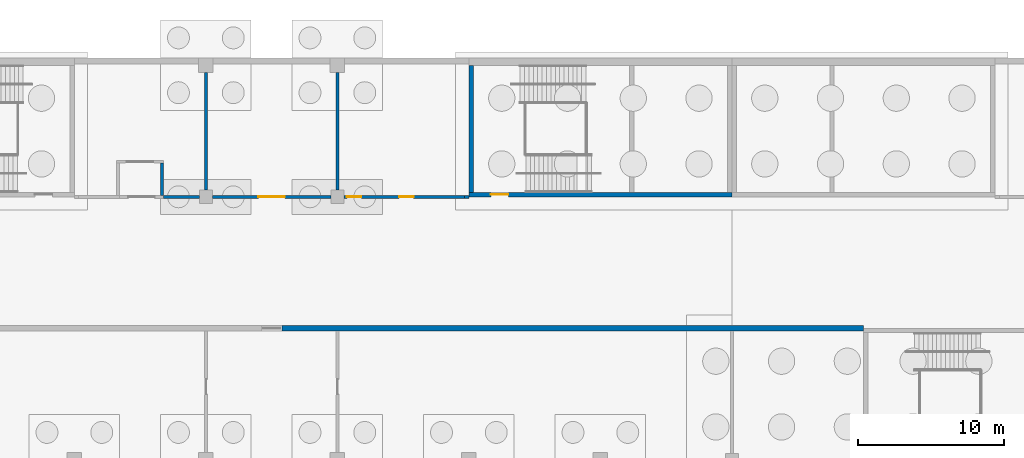
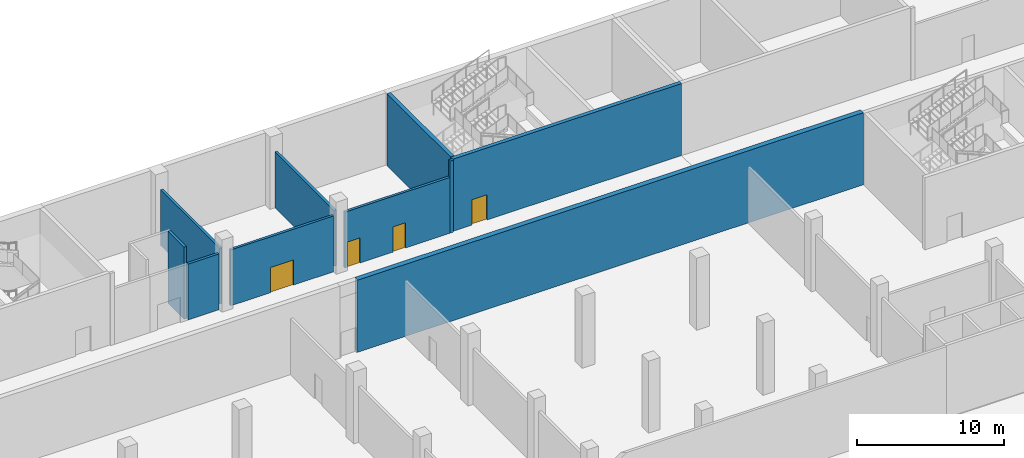
# One storey, part 16 of 42: 10 walls, 4 doors, 4 openings.
"""IFC4 building model written with IfcOpenShell, lengths in metres."""

from ifc_helpers import new_model, si_unit, direction, frame, frame_2d, origin, place, context, subcontext, project, spatial, rectangle, extrude, material, layer, layer_set, type_object, element, fill, save


model = new_model("IFC4")

# Units and contexts
model_context = context("Model", 3, precision=1e-05, world=origin(), true_north=direction((0.0, 1.0)))
body_context = subcontext(model_context, "Body", "Model", "MODEL_VIEW")
ifc_project = project(units=[si_unit("LENGTHUNIT", "METRE"), si_unit("AREAUNIT", "SQUARE_METRE"), si_unit("VOLUMEUNIT", "CUBIC_METRE"), si_unit("PLANEANGLEUNIT", "RADIAN"), si_unit("MASSUNIT", "GRAM", prefix="KILO")], contexts=[model_context])

# Site, building, storey
site_placement = place(None, origin())
site = spatial("IfcSite", under=ifc_project, at=site_placement, CompositionType="ELEMENT")
building_placement = place(site_placement, origin())
building = spatial("IfcBuilding", under=site, at=building_placement, Name="Silverbay Arena", CompositionType="ELEMENT")
storey_placement = place(building_placement, frame((0.0, 0.0, -6.0)))
storey = spatial("IfcBuildingStorey", under=building, at=storey_placement, Name="B1", CompositionType="ELEMENT", Elevation=-6.0)

# Wall, opening, door
ifc_material_1 = material(Name="Concrete Grade C45", Category="concrete")
ifc_layer_1 = layer(ifc_material_1, 0.300048828125)
ifc_layer_set_1 = layer_set([ifc_layer_1], Name="Concrete Grade C45")
wall_type_1 = type_object("IfcWallType", Name="Core wall RC 300 EI 240", PredefinedType="SHEAR", material=ifc_layer_set_1)
wall_1_placement = place(storey_placement, frame((144.0, 135.14990234375, 0.0), z_axis=(0.0, 0.0, 1.0), x_axis=(1.0, 0.0, 0.0)))
wall_1 = element("IfcWall", 1, at=wall_1_placement, inside=storey, type_object=wall_type_1, Name="Core wall ST-N3 B1 door side", PredefinedType="SHEAR", context=body_context, shape_type="SweptSolid", body=[
    extrude(rectangle(XDim=18.0, YDim=0.300048828125, at=frame_2d((9.0, 0.0))), origin(), (0.0, 0.0, 1.0), 6.0),
])
opening_1_placement = place(wall_1_placement, frame((1.5, 0.0, 0.0)))
opening_1 = element("IfcOpeningElement", 2, at=opening_1_placement, cuts=wall_1, Name="Opening B1-081", PredefinedType="OPENING", context=body_context, shape_type="SweptSolid", body=[
    extrude(rectangle(XDim=1.199951171875, YDim=2.10009765625, at=frame_2d((0.60009765625, 1.050048828125))), frame((0.0, 0.16015625, 0.0), z_axis=(0.0, -1.0, 0.0), x_axis=(1.0, 0.0, 0.0)), (0.0, 0.0, 1.0), 0.320068359375),
])
ifc_material_2 = material(Name="Steel fire door", Category="steel")
door_type_1 = type_object("IfcDoorType", Name="Stair door 1200 x 2100 fire door", OperationType="SINGLE_SWING_LEFT", PredefinedType="DOOR", material=ifc_material_2)
door_1_placement = place(opening_1_placement, origin())
door_1 = element("IfcDoor", 3, at=door_1_placement, inside=storey, type_object=door_type_1, Name="Stair door ST-N3 B1", OperationType="SINGLE_SWING_LEFT", OverallHeight=2.10009765625, OverallWidth=1.199951171875, PredefinedType="DOOR", context=body_context, shape_type="SweptSolid", body=[
    extrude(rectangle(XDim=1.199951171875, YDim=2.10009765625, at=frame_2d((0.60009765625, 1.050048828125))), frame((0.0, 0.02490234375, 0.0), z_axis=(0.0, -1.0, 0.0), x_axis=(1.0, 0.0, 0.0)), (0.0, 0.0, 1.0), 0.050048828125),
])
fill(opening_1, door_1)

# Walls
wall_2_placement = place(storey_placement, frame((144.14990234375, 135.300048828125, 0.0), z_axis=(0.0, 0.0, 1.0), x_axis=(0.0, 1.0, 0.0)))
element("IfcWall", 4, at=wall_2_placement, inside=storey, type_object=wall_type_1, Name="Core wall ST-N3 B1 end 1", PredefinedType="SHEAR", context=body_context, shape_type="SweptSolid", body=[
    extrude(rectangle(XDim=8.699951171875, YDim=0.300048828125, at=frame_2d((4.35009765625, 0.0))), origin(), (0.0, 0.0, 1.0), 6.0),
])
ifc_material_3 = material(Name="Masonry blockwork partition", Category="masonry")
ifc_layer_2 = layer(ifc_material_3, 0.199951171875)
ifc_layer_set_2 = layer_set([ifc_layer_2], Name="Masonry blockwork partition")
wall_type_2 = type_object("IfcWallType", Name="Partition 200 EI 240", PredefinedType="PARTITIONING", material=ifc_layer_set_2)
wall_3_placement = place(storey_placement, frame((123.10009765625, 135.0, 0.0), z_axis=(0.0, 0.0, 1.0), x_axis=(1.0, 0.0, 0.0)))
element("IfcWall", 5, at=wall_3_placement, inside=storey, type_object=wall_type_2, Name="Partition wall", PredefinedType="PARTITIONING", context=body_context, shape_type="SweptSolid", body=[
    extrude(rectangle(XDim=2.449951171875, YDim=0.199951171875, at=frame_2d((1.22509765625, 0.0))), origin(), (0.0, 0.0, 1.0), 4.64990234375),
])

# Wall, opening, door
wall_4_placement = place(storey_placement, frame((126.449951171875, 135.0, 0.0), z_axis=(0.0, 0.0, 1.0), x_axis=(1.0, 0.0, 0.0)))
wall_4 = element("IfcWall", 6, at=wall_4_placement, inside=storey, type_object=wall_type_2, Name="Partition wall", PredefinedType="PARTITIONING", context=body_context, shape_type="SweptSolid", body=[
    extrude(rectangle(XDim=8.10009765625, YDim=0.199951171875, at=frame_2d((4.050048828125, 0.0))), origin(), (0.0, 0.0, 1.0), 4.64990234375),
])
opening_2_placement = place(wall_4_placement, frame((3.14990234375, 0.0, 0.0)))
opening_2 = element("IfcOpeningElement", 7, at=opening_2_placement, cuts=wall_4, Name="Opening B1-008", PredefinedType="OPENING", context=body_context, shape_type="SweptSolid", body=[
    extrude(rectangle(XDim=1.800048828125, YDim=2.10009765625, at=frame_2d((0.89990234375, 1.050048828125))), frame((0.0, 0.10986328125, 0.0), z_axis=(0.0, -1.0, 0.0), x_axis=(1.0, 0.0, 0.0)), (0.0, 0.0, 1.0), 0.219970703125),
])
ifc_material_4 = material(Name="Steel faced timber", Category="steel")
door_type_2 = type_object("IfcDoorType", Name="Double leaf door 1800 x 2100 FD120", OperationType="DOUBLE_DOOR_DOUBLE_SWING", PredefinedType="DOOR", material=ifc_material_4)
door_2_placement = place(opening_2_placement, origin())
door_2 = element("IfcDoor", 8, at=door_2_placement, inside=storey, type_object=door_type_2, Name="Door B1-008", OperationType="DOUBLE_DOOR_DOUBLE_SWING", OverallHeight=2.10009765625, OverallWidth=1.800048828125, PredefinedType="DOOR", context=body_context, shape_type="SweptSolid", body=[
    extrude(rectangle(XDim=1.800048828125, YDim=2.10009765625, at=frame_2d((0.89990234375, 1.050048828125))), frame((0.0, 0.02490234375, 0.0), z_axis=(0.0, -1.0, 0.0), x_axis=(1.0, 0.0, 0.0)), (0.0, 0.0, 1.0), 0.050048828125),
])
fill(opening_2, door_2)

# Wall, openings, doors
wall_5_placement = place(storey_placement, frame((135.449951171875, 135.0, 0.0), z_axis=(0.0, 0.0, 1.0), x_axis=(1.0, 0.0, 0.0)))
wall_5 = element("IfcWall", 9, at=wall_5_placement, inside=storey, type_object=wall_type_2, Name="Partition wall", PredefinedType="PARTITIONING", context=body_context, shape_type="SweptSolid", body=[
    extrude(rectangle(XDim=8.25, YDim=0.199951171875, at=frame_2d((4.125, 0.0))), origin(), (0.0, 0.0, 1.0), 4.64990234375),
])
opening_3_placement = place(wall_5_placement, frame((3.77490234375, 0.0, 0.0)))
opening_3 = element("IfcOpeningElement", 10, at=opening_3_placement, cuts=wall_5, Name="Opening B1-009", PredefinedType="OPENING", context=body_context, shape_type="SweptSolid", body=[
    extrude(rectangle(XDim=1.0, YDim=2.10009765625, at=frame_2d((0.5, 1.050048828125))), frame((0.0, 0.10986328125, 0.0), z_axis=(0.0, -1.0, 0.0), x_axis=(1.0, 0.0, 0.0)), (0.0, 0.0, 1.0), 0.219970703125),
])
opening_4_placement = place(wall_5_placement, frame((0.199951171875, 0.0, 0.0)))
opening_4 = element("IfcOpeningElement", 11, at=opening_4_placement, cuts=wall_5, Name="Opening B1-062", PredefinedType="OPENING", context=body_context, shape_type="SweptSolid", body=[
    extrude(rectangle(XDim=1.0, YDim=2.10009765625, at=frame_2d((0.5, 1.050048828125))), frame((0.0, 0.10986328125, 0.0), z_axis=(0.0, -1.0, 0.0), x_axis=(1.0, 0.0, 0.0)), (0.0, 0.0, 1.0), 0.219970703125),
])
ifc_material_5 = material(Name="Steel faced timber", Category="steel")
door_type_3 = type_object("IfcDoorType", Name="Single leaf door 1000 x 2100 FD30S", OperationType="SINGLE_SWING_LEFT", PredefinedType="DOOR", material=ifc_material_5)
door_3_placement = place(opening_3_placement, origin())
door_3 = element("IfcDoor", 12, at=door_3_placement, inside=storey, type_object=door_type_3, Name="Door B1-009", OperationType="SINGLE_SWING_LEFT", OverallHeight=2.10009765625, OverallWidth=1.0, PredefinedType="DOOR", context=body_context, shape_type="SweptSolid", body=[
    extrude(rectangle(XDim=1.0, YDim=2.10009765625, at=frame_2d((0.5, 1.050048828125))), frame((0.0, 0.02490234375, 0.0), z_axis=(0.0, -1.0, 0.0), x_axis=(1.0, 0.0, 0.0)), (0.0, 0.0, 1.0), 0.050048828125),
])
fill(opening_3, door_3)
door_4_placement = place(opening_4_placement, origin())
door_4 = element("IfcDoor", 13, at=door_4_placement, inside=storey, type_object=door_type_3, Name="Door B1-062", OperationType="SINGLE_SWING_LEFT", OverallHeight=2.10009765625, OverallWidth=1.0, PredefinedType="DOOR", context=body_context, shape_type="SweptSolid", body=[
    extrude(rectangle(XDim=1.0, YDim=2.10009765625, at=frame_2d((0.5, 1.050048828125))), frame((0.0, 0.02490234375, 0.0), z_axis=(0.0, -1.0, 0.0), x_axis=(1.0, 0.0, 0.0)), (0.0, 0.0, 1.0), 0.050048828125),
])
fill(opening_4, door_4)

# Walls
wall_6_placement = place(storey_placement, frame((123.0, 135.10009765625, 0.0), z_axis=(0.0, 0.0, 1.0), x_axis=(0.0, 1.0, 0.0)))
element("IfcWall", 14, at=wall_6_placement, inside=storey, type_object=wall_type_2, Name="Partition wall", PredefinedType="PARTITIONING", context=body_context, shape_type="SweptSolid", body=[
    extrude(rectangle(XDim=2.199951171875, YDim=0.199951171875, at=frame_2d((1.10009765625, 0.0))), origin(), (0.0, 0.0, 1.0), 6.0),
])
for number, where, z_axis, x_axis, name in (
    (15, (126.0, 135.449951171875, 0.0), (0.0, 0.0, 1.0), (0.0, 1.0, 0.0), "Partition wall"),
    (16, (135.0, 135.449951171875, 0.0), (0.0, 0.0, 1.0), (0.0, 1.0, 0.0), "Partition wall"),
):
    element("IfcWall", number, at=place(storey_placement, frame(where, z_axis=z_axis, x_axis=x_axis)), inside=storey, type_object=wall_type_2, Name=name, PredefinedType="PARTITIONING", context=body_context, shape_type="SweptSolid", body=[
        extrude(rectangle(XDim=8.050048828125, YDim=0.199951171875, at=frame_2d((4.02490234375, 0.0))), origin(), (0.0, 0.0, 1.0), 4.64990234375),
    ])
wall_7_placement = place(storey_placement, frame((143.699951171875, 135.0, 0.0), z_axis=(0.0, 0.0, 1.0), x_axis=(1.0, 0.0, 0.0)))
element("IfcWall", 17, at=wall_7_placement, inside=storey, type_object=wall_type_2, Name="Partition wall", PredefinedType="PARTITIONING", context=body_context, shape_type="SweptSolid", body=[
    extrude(rectangle(XDim=0.300048828125, YDim=0.199951171875, at=frame_2d((0.14990234375, 0.0))), origin(), (0.0, 0.0, 1.0), 6.0),
])
ifc_material_6 = material(Name="Concrete Grade C45", Category="concrete")
ifc_layer_3 = layer(ifc_material_6, 0.39990234375)
ifc_layer_set_3 = layer_set([ifc_layer_3], Name="Concrete Grade C45")
wall_type_3 = type_object("IfcWallType", Name="RC back wall 400 EI 240", PredefinedType="SOLIDWALL", material=ifc_layer_set_3)
wall_8_placement = place(storey_placement, frame((171.0, 126.0, 0.0), z_axis=(0.0, 0.0, 1.0), x_axis=(-1.0, 0.0, 0.0)))
element("IfcWall", 18, at=wall_8_placement, inside=storey, type_object=wall_type_3, Name="Bowl back wall B1 04", PredefinedType="SOLIDWALL", context=body_context, shape_type="SweptSolid", body=[
    extrude(rectangle(XDim=39.800048828125, YDim=0.39990234375, at=frame_2d((19.89990234375, 0.0))), origin(), (0.0, 0.0, 1.0), 6.0),
])

save(model, "model.ifc")
